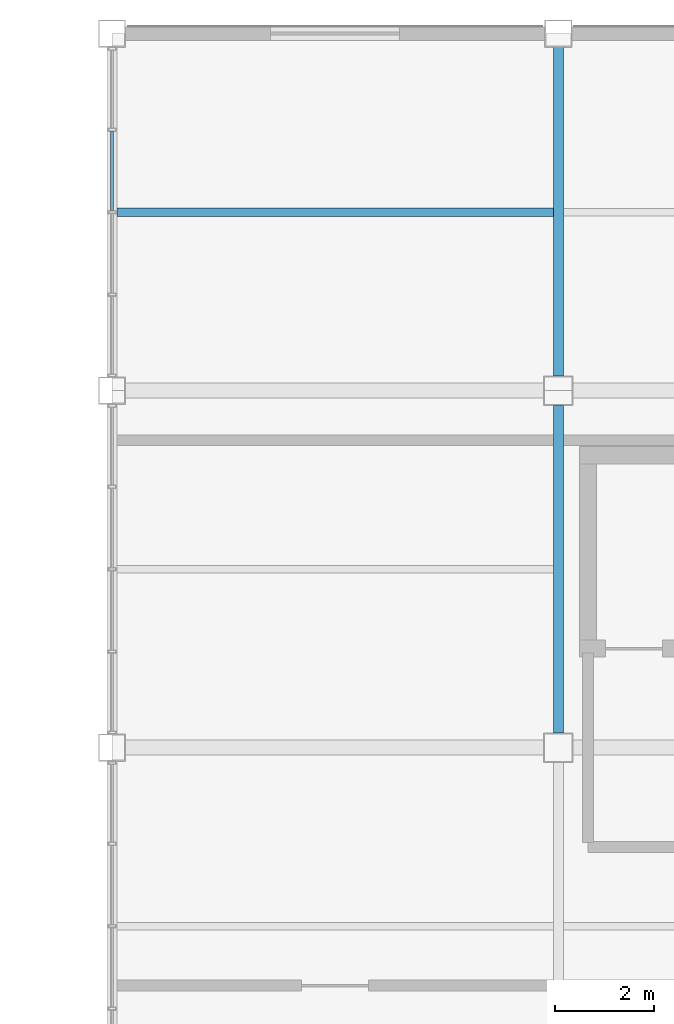
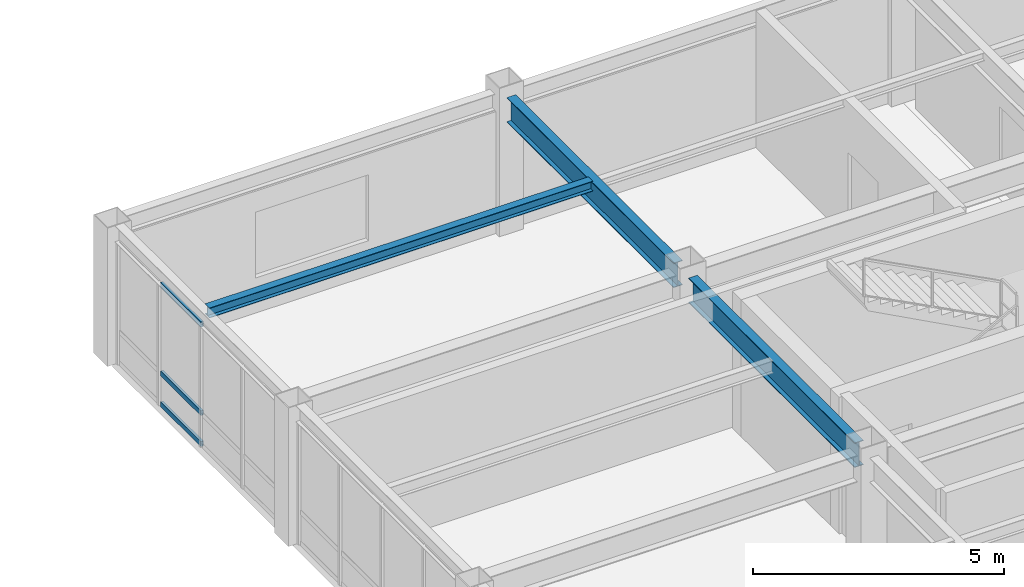
# One storey, part 25 of 43: 3 beams, 3 members, 1 element without a shape of its own.
"""IFC4 building model written with IfcOpenShell, lengths in metres."""

from ifc_helpers import new_model, si_unit, direction, frame, origin, origin_2d, place, context, subcontext, project, spatial, hollow_rectangle, i_section, extrude, material, material_profile, profile_set, type_object, element, aggregate, save


model = new_model("IFC4")

# Units and contexts
model_context = context("Model", 3, precision=1e-05, world=origin(), true_north=direction((0.0, 1.0)))
body_context = subcontext(model_context, "Body", "Model", "MODEL_VIEW")
ifc_project = project(units=[si_unit("LENGTHUNIT", "METRE"), si_unit("AREAUNIT", "SQUARE_METRE"), si_unit("VOLUMEUNIT", "CUBIC_METRE"), si_unit("PLANEANGLEUNIT", "RADIAN"), si_unit("MASSUNIT", "GRAM", prefix="KILO")], contexts=[model_context])

# Site, building, storey
site_placement = place(None, origin())
site = spatial("IfcSite", under=ifc_project, at=site_placement, CompositionType="ELEMENT")
building_placement = place(site_placement, origin())
building = spatial("IfcBuilding", under=site, at=building_placement, Name="Kazanami Central Library", CompositionType="ELEMENT")
storey_placement = place(building_placement, frame((0.0, 0.0, 20.60009765625)))
storey = spatial("IfcBuildingStorey", under=building, at=storey_placement, Name="L06", CompositionType="ELEMENT", Elevation=20.60009765625)

# Beams
ifc_material_1 = material(Name="Steel SN400B (235 MPa)", Category="steel")
ifc_material_profile_1 = material_profile(ifc_material_1, i_section(OverallWidth=0.175048828125, OverallDepth=0.243896484375, WebThickness=0.007080078125, FlangeThickness=0.010986328125, at=origin_2d()), Name="H-244x175x7x11")
ifc_profile_set_1 = profile_set([ifc_material_profile_1], Name="Steel SN400B (235 MPa)")
beam_type_1 = type_object("IfcBeamType", Name="BM-B-S6", PredefinedType="JOIST", material=ifc_profile_set_1)
beam_1_placement = place(storey_placement, frame((117.097900390625, 90.0, 3.23779296875), z_axis=(1.0, 0.0, 0.0), x_axis=(0.0, 1.0, 0.0)))
element("IfcBeam", 1, at=beam_1_placement, inside=storey, type_object=beam_type_1, Name="Composite Secondary Joist B-S6 L06 Bay 14/N.1", PredefinedType="JOIST", context=body_context, shape_type="SweptSolid", body=[
    extrude(i_section(OverallWidth=0.175048828125, OverallDepth=0.243896484375, WebThickness=0.007080078125, FlangeThickness=0.010986328125, at=origin_2d()), origin(), (0.0, 0.0, 1.0), 8.80419921875),
])
ifc_material_2 = material(Name="Steel SN490B (325 MPa)", Category="steel")
ifc_material_profile_2 = material_profile(ifc_material_2, i_section(OverallWidth=0.199951171875, OverallDepth=0.60009765625, WebThickness=0.010986328125, FlangeThickness=0.01708984375, at=origin_2d()), Name="H-600x200x11x17")
ifc_profile_set_2 = profile_set([ifc_material_profile_2], Name="Steel SN490B (325 MPa)")
beam_type_2 = type_object("IfcBeamType", Name="BM-G-Y1", PredefinedType="BEAM", material=ifc_profile_set_2)
beam_2_placement = place(storey_placement, frame((126.0, 79.498046875, 3.02001953125), z_axis=(0.0, 1.0, 0.0), x_axis=(-1.0, 0.0, 0.0)))
element("IfcBeam", 2, at=beam_2_placement, inside=storey, type_object=beam_type_2, Name="Girder G-Y1 L06 15/M-N", PredefinedType="BEAM", context=body_context, shape_type="SweptSolid", body=[
    extrude(i_section(OverallWidth=0.199951171875, OverallDepth=0.60009765625, WebThickness=0.010986328125, FlangeThickness=0.01708984375, at=origin_2d()), origin(), (0.0, 0.0, 1.0), 6.60400390625),
])
beam_3_placement = place(storey_placement, frame((126.0, 86.697998046875, 3.02001953125), z_axis=(0.0, 1.0, 0.0), x_axis=(-1.0, 0.0, 0.0)))
element("IfcBeam", 3, at=beam_3_placement, inside=storey, type_object=beam_type_2, Name="Girder G-Y1 L06 15/N-O", PredefinedType="BEAM", context=body_context, shape_type="SweptSolid", body=[
    extrude(i_section(OverallWidth=0.199951171875, OverallDepth=0.60009765625, WebThickness=0.010986328125, FlangeThickness=0.01708984375, at=origin_2d()), origin(), (0.0, 0.0, 1.0), 6.62890625),
])

# Curtain wall, members
ifc_material_3 = material(Name="Acid-Etched Low-E Laminated Glass", Category="glass")
curtain_wall_type = type_object("IfcCurtainWallType", Name="CW-6650x2960-M180", PredefinedType="USERDEFINED", material=ifc_material_3)
curtain_wall_placement = place(storey_placement, origin())
curtain_wall = element("IfcCurtainWall", 4, at=curtain_wall_placement, inside=storey, type_object=curtain_wall_type, Name="Covered Link Bridge Curtain Wall CW-59 L06 W-14-12", ObjectType="UNITISED CURTAIN WALL", PredefinedType="USERDEFINED")
ifc_material_4 = material(Name="Anodised Aluminium A6063-T5", Category="aluminium")
ifc_material_profile_3 = material_profile(ifc_material_4, hollow_rectangle(XDim=0.06005859375, YDim=0.1201171875, WallThickness=0.00341796875, at=origin_2d()), Name="ALU-TRAN-60x120x3.5")
ifc_profile_set_3 = profile_set([ifc_material_profile_3], Name="Anodised Aluminium A6063-T5")
member_type = type_object("IfcMemberType", Name="MEM-CW-T3", PredefinedType="USERDEFINED", material=ifc_profile_set_3)
member_1_placement = place(storey_placement, frame((117.0, 90.030029296875, 0.02978515625), z_axis=(0.0, 1.0, 0.0), x_axis=(-1.0, 0.0, 0.0)))
member_1 = element("IfcMember", 5, at=member_1_placement, type_object=member_type, Name="CW-59 transom 3.1", ObjectType="TRANSOM", PredefinedType="USERDEFINED", context=body_context, shape_type="SweptSolid", body=[
    extrude(hollow_rectangle(XDim=0.06005859375, YDim=0.1201171875, WallThickness=0.00341796875, at=origin_2d()), origin(), (0.0, 0.0, 1.0), 1.6025390625),
])
member_2_placement = place(storey_placement, frame((117.0, 90.030029296875, 0.77978515625), z_axis=(0.0, 1.0, 0.0), x_axis=(-1.0, 0.0, 0.0)))
member_2 = element("IfcMember", 6, at=member_2_placement, type_object=member_type, Name="CW-59 transom 3.2", ObjectType="TRANSOM", PredefinedType="USERDEFINED", context=body_context, shape_type="SweptSolid", body=[
    extrude(hollow_rectangle(XDim=0.06005859375, YDim=0.1201171875, WallThickness=0.00341796875, at=origin_2d()), origin(), (0.0, 0.0, 1.0), 1.6025390625),
])
member_3_placement = place(storey_placement, frame((117.0, 90.030029296875, 2.929931640625), z_axis=(0.0, 1.0, 0.0), x_axis=(-1.0, 0.0, 0.0)))
member_3 = element("IfcMember", 7, at=member_3_placement, type_object=member_type, Name="CW-59 transom 3.3", ObjectType="TRANSOM", PredefinedType="USERDEFINED", context=body_context, shape_type="SweptSolid", body=[
    extrude(hollow_rectangle(XDim=0.06005859375, YDim=0.1201171875, WallThickness=0.00341796875, at=origin_2d()), origin(), (0.0, 0.0, 1.0), 1.6025390625),
])
aggregate(curtain_wall, [member_1, member_2, member_3])

save(model, "model.ifc")
